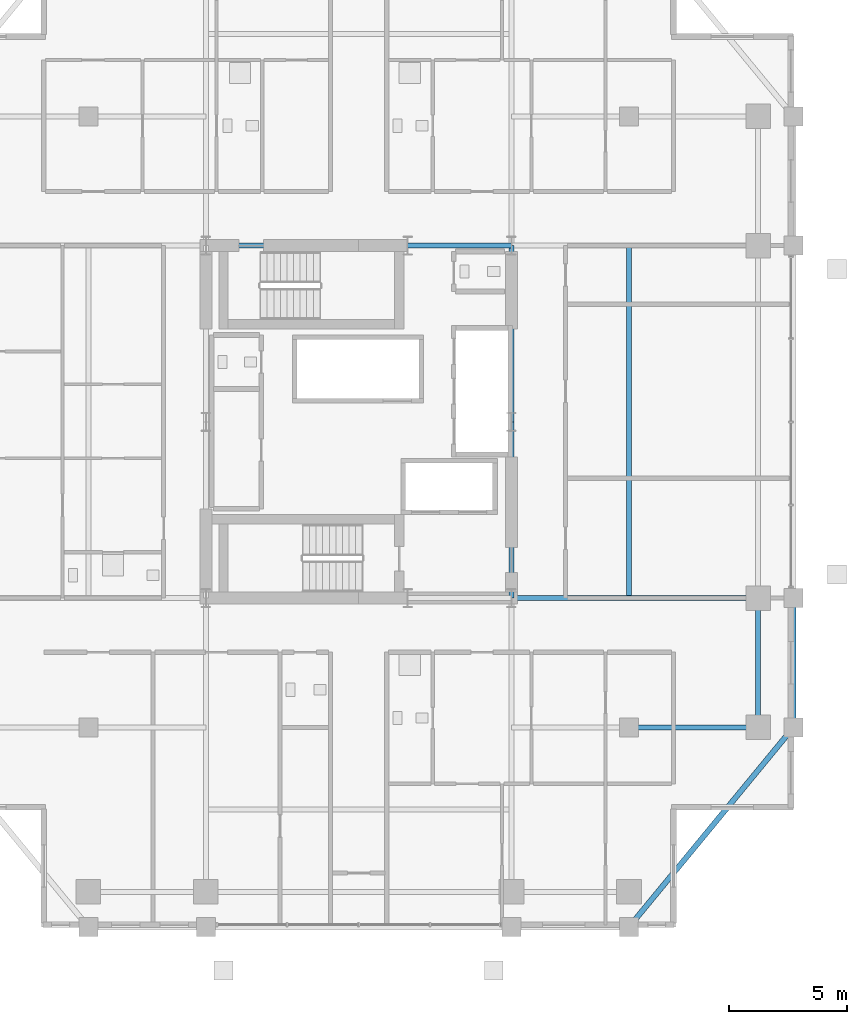
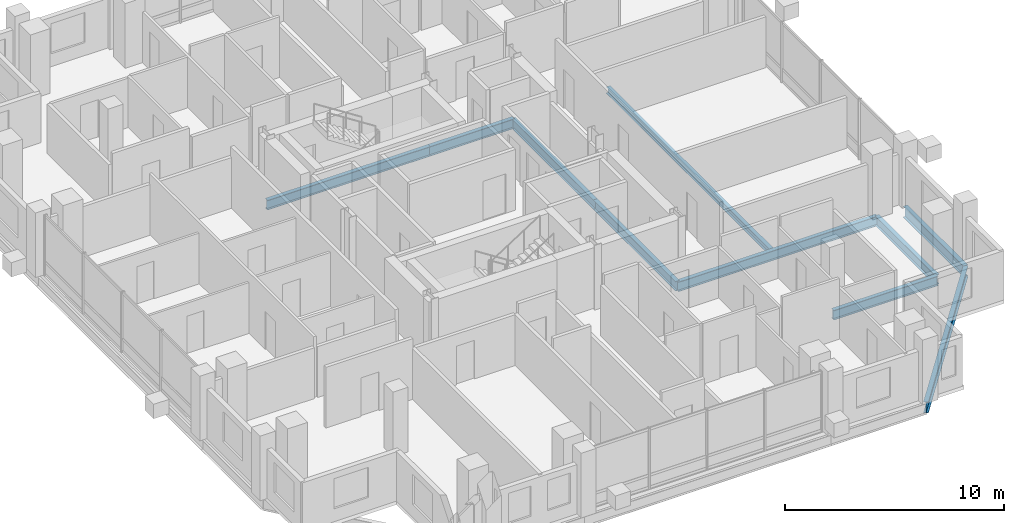
# One storey, part 9 of 24: 10 beams.
"""IFC4 building model written with IfcOpenShell, lengths in metres."""

from ifc_helpers import new_model, si_unit, direction, frame, origin, origin_2d, place, context, subcontext, project, spatial, i_section, extrude, material, material_profile, profile_set, type_object, element, save


model = new_model("IFC4")

# Units and contexts
model_context = context("Model", 3, precision=1e-05, world=origin(), true_north=direction((0.0, 1.0)))
body_context = subcontext(model_context, "Body", "Model", "MODEL_VIEW")
ifc_project = project(units=[si_unit("LENGTHUNIT", "METRE"), si_unit("AREAUNIT", "SQUARE_METRE"), si_unit("VOLUMEUNIT", "CUBIC_METRE"), si_unit("PLANEANGLEUNIT", "RADIAN"), si_unit("MASSUNIT", "GRAM", prefix="KILO")], contexts=[model_context])

# Site, building, storey
site_placement = place(None, origin())
site = spatial("IfcSite", under=ifc_project, at=site_placement, CompositionType="ELEMENT")
building_placement = place(site_placement, origin())
building = spatial("IfcBuilding", under=site, at=building_placement, Name="Barlavira Tower and Art Museum", CompositionType="ELEMENT")
storey_placement = place(building_placement, frame((0.0, 0.0, 190.800048828125)))
storey = spatial("IfcBuildingStorey", under=building, at=storey_placement, Name="L49", CompositionType="ELEMENT", Elevation=190.800048828125)

# Beams
ifc_material = material(Name="Steel S355", Category="steel")
ifc_material_profile_1 = material_profile(ifc_material, i_section(OverallWidth=0.22998046875, OverallDepth=0.616943359375, WebThickness=0.01318359375, FlangeThickness=0.022216796875, at=origin_2d()), Name="W610x140.0")
ifc_profile_set_1 = profile_set([ifc_material_profile_1], Name="Steel S355")
beam_type_1 = type_object("IfcBeamType", Name="Upper Shaft Spandrel Edge Beam W610x140 Steel S355", PredefinedType="SPANDREL", material=ifc_profile_set_1)
beam_1_placement = place(storey_placement, frame((11.5, -21.5, -0.528564453125), z_axis=(0.635707252861, 0.771930235617, 0.0), x_axis=(-0.771930235617, 0.635707252861, 0.0)))
element("IfcBeam", 1, at=beam_1_placement, inside=storey, type_object=beam_type_1, Name="L49 Spandrel 4", PredefinedType="SPANDREL", context=body_context, shape_type="SweptSolid", body=[
    extrude(i_section(OverallWidth=0.22998046875, OverallDepth=0.616943359375, WebThickness=0.01318359375, FlangeThickness=0.022216796875, at=origin_2d()), origin(), (0.0, 0.0, 1.0), 11.011474609375),
])
beam_2_placement = place(storey_placement, frame((18.5, -13.0, -0.528564453125), z_axis=(0.0, 1.0, 0.0), x_axis=(-1.0, 0.0, 0.0)))
element("IfcBeam", 2, at=beam_2_placement, inside=storey, type_object=beam_type_1, Name="L49 Spandrel 5", PredefinedType="SPANDREL", context=body_context, shape_type="SweptSolid", body=[
    extrude(i_section(OverallWidth=0.22998046875, OverallDepth=0.616943359375, WebThickness=0.01318359375, FlangeThickness=0.022216796875, at=origin_2d()), origin(), (0.0, 0.0, 1.0), 5.5),
])
ifc_material_profile_2 = material_profile(ifc_material, i_section(OverallWidth=0.205078125, OverallDepth=0.35400390625, WebThickness=0.009521484375, FlangeThickness=0.016845703125, at=origin_2d()), Name="W360x79.0")
ifc_profile_set_2 = profile_set([ifc_material_profile_2], Name="Steel S355")
beam_type_2 = type_object("IfcBeamType", Name="Zone 3 Composite Floor Joist W360x79 Steel S355", PredefinedType="JOIST", material=ifc_profile_set_2)
beam_3_placement = place(storey_placement, frame((11.5, -7.5, -0.39697265625), z_axis=(0.0, 1.0, 0.0), x_axis=(-1.0, 0.0, 0.0)))
element("IfcBeam", 3, at=beam_3_placement, inside=storey, type_object=beam_type_2, Name="L49 Joist W2", PredefinedType="JOIST", context=body_context, shape_type="SweptSolid", body=[
    extrude(i_section(OverallWidth=0.205078125, OverallDepth=0.35400390625, WebThickness=0.009521484375, FlangeThickness=0.016845703125, at=origin_2d()), origin(), (0.0, 0.0, 1.0), 15.0),
])
ifc_material_profile_3 = material_profile(ifc_material, i_section(OverallWidth=0.2109375, OverallDepth=0.5390625, WebThickness=0.01171875, FlangeThickness=0.018798828125, at=origin_2d()), Name="W530x109.0")
ifc_profile_set_3 = profile_set([ifc_material_profile_3], Name="Steel S355")
beam_type_3 = type_object("IfcBeamType", Name="Zone 3-4 Primary Floor Girder W530x109 Steel S355", PredefinedType="BEAM", material=ifc_profile_set_3)
beam_4_placement = place(storey_placement, frame((-6.5, 7.5, -0.489501953125), z_axis=(1.0, 0.0, 0.0), x_axis=(0.0, 1.0, 0.0)))
element("IfcBeam", 4, at=beam_4_placement, inside=storey, type_object=beam_type_3, Name="L49 Girder C-N1", PredefinedType="BEAM", context=body_context, shape_type="SweptSolid", body=[
    extrude(i_section(OverallWidth=0.2109375, OverallDepth=0.5390625, WebThickness=0.01171875, FlangeThickness=0.018798828125, at=origin_2d()), origin(), (0.0, 0.0, 1.0), 8.580078125),
])
beam_5_placement = place(storey_placement, frame((2.080078125, 7.5, -0.489501953125), z_axis=(1.0, 0.0, 0.0), x_axis=(0.0, 1.0, 0.0)))
element("IfcBeam", 5, at=beam_5_placement, inside=storey, type_object=beam_type_3, Name="L49 Girder C-N2", PredefinedType="BEAM", context=body_context, shape_type="SweptSolid", body=[
    extrude(i_section(OverallWidth=0.2109375, OverallDepth=0.5390625, WebThickness=0.01171875, FlangeThickness=0.018798828125, at=origin_2d()), origin(), (0.0, 0.0, 1.0), 4.419921875),
])
for number, where, z_axis, x_axis, name in (
    (6, (6.5, -7.5, -0.489501953125), (0.0, 1.0, 0.0), (-1.0, 0.0, 0.0), "L49 Girder C-E1"),
    (7, (6.5, 0.0, -0.489501953125), (0.0, 1.0, 0.0), (-1.0, 0.0, 0.0), "L49 Girder C-E2"),
):
    element("IfcBeam", number, at=place(storey_placement, frame(where, z_axis=z_axis, x_axis=x_axis)), inside=storey, type_object=beam_type_3, Name=name, PredefinedType="BEAM", context=body_context, shape_type="SweptSolid", body=[
        extrude(i_section(OverallWidth=0.2109375, OverallDepth=0.5390625, WebThickness=0.01171875, FlangeThickness=0.018798828125, at=origin_2d()), origin(), (0.0, 0.0, 1.0), 7.5),
    ])
beam_6_placement = place(storey_placement, frame((17.0, -13.0, -0.489501953125), z_axis=(0.0, 1.0, 0.0), x_axis=(-1.0, 0.0, 0.0)))
element("IfcBeam", 8, at=beam_6_placement, inside=storey, type_object=beam_type_3, Name="L49 Girder M-E1", PredefinedType="BEAM", context=body_context, shape_type="SweptSolid", body=[
    extrude(i_section(OverallWidth=0.2109375, OverallDepth=0.5390625, WebThickness=0.01171875, FlangeThickness=0.018798828125, at=origin_2d()), origin(), (0.0, 0.0, 1.0), 5.5),
])
beam_7_placement = place(storey_placement, frame((6.5, -7.5, -0.489501953125), z_axis=(1.0, 0.0, 0.0), x_axis=(0.0, 1.0, 0.0)))
element("IfcBeam", 9, at=beam_7_placement, inside=storey, type_object=beam_type_3, Name="L49 Girder R-E1", PredefinedType="BEAM", context=body_context, shape_type="SweptSolid", body=[
    extrude(i_section(OverallWidth=0.2109375, OverallDepth=0.5390625, WebThickness=0.01171875, FlangeThickness=0.018798828125, at=origin_2d()), origin(), (0.0, 0.0, 1.0), 10.5),
])
beam_8_placement = place(storey_placement, frame((11.5, -13.0, -0.489501953125), z_axis=(1.0, 0.0, 0.0), x_axis=(0.0, 1.0, 0.0)))
element("IfcBeam", 10, at=beam_8_placement, inside=storey, type_object=beam_type_3, Name="L49 Girder I-S4", PredefinedType="BEAM", context=body_context, shape_type="SweptSolid", body=[
    extrude(i_section(OverallWidth=0.2109375, OverallDepth=0.5390625, WebThickness=0.01171875, FlangeThickness=0.018798828125, at=origin_2d()), origin(), (0.0, 0.0, 1.0), 5.5),
])

save(model, "model.ifc")
